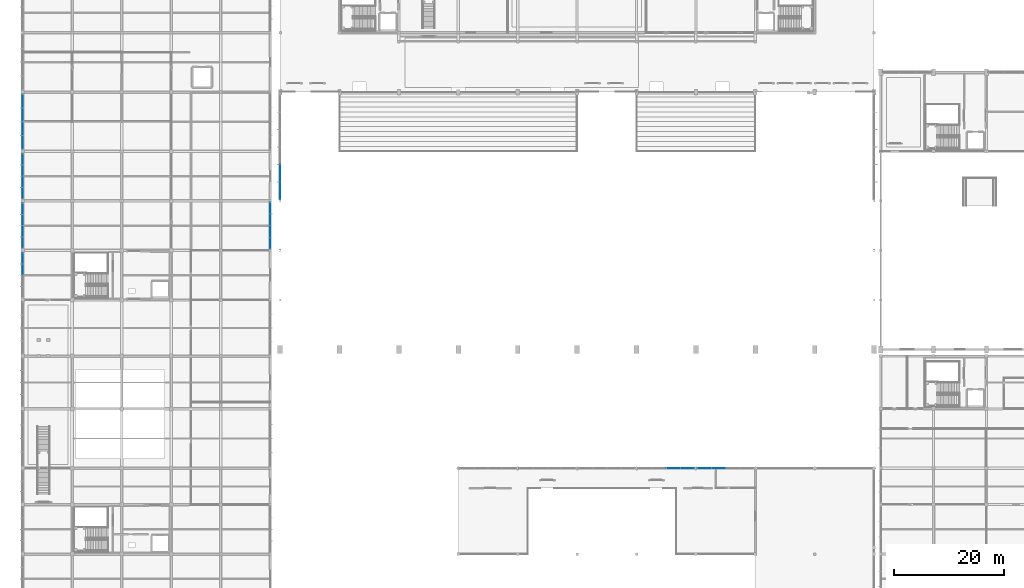
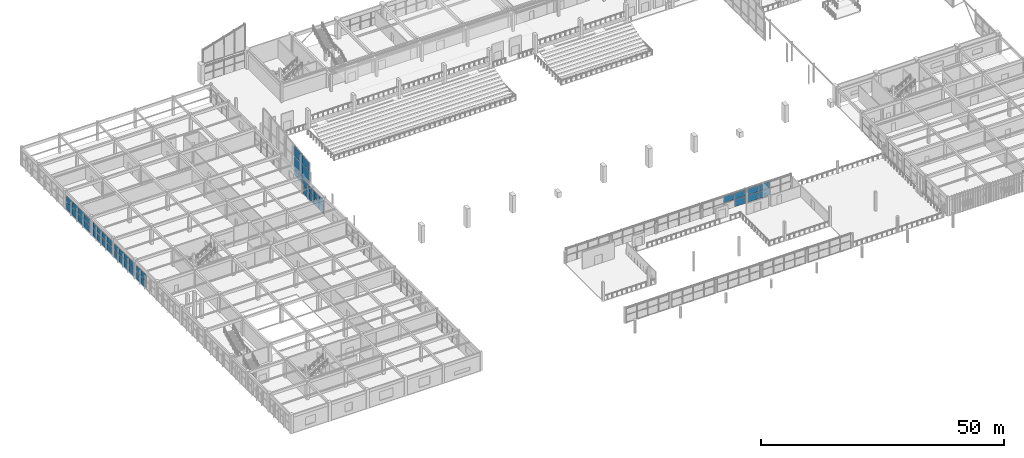
# One storey, part 41 of 74: 49 plates, 8 elements without a shape of their own.
"""IFC4 building model written with IfcOpenShell, lengths in metres."""

from ifc_helpers import new_model, si_unit, direction, frame, origin, place, context, subcontext, project, spatial, polyline, outline, extrude, material, layer, layer_set, type_object, element, aggregate, save


model = new_model("IFC4")

# Units and contexts
model_context = context("Model", 3, precision=1e-05, world=origin(), true_north=direction((0.0, 1.0)))
body_context = subcontext(model_context, "Body", "Model", "MODEL_VIEW")
ifc_project = project(units=[si_unit("LENGTHUNIT", "METRE"), si_unit("AREAUNIT", "SQUARE_METRE"), si_unit("VOLUMEUNIT", "CUBIC_METRE"), si_unit("PLANEANGLEUNIT", "RADIAN"), si_unit("MASSUNIT", "GRAM", prefix="KILO")], contexts=[model_context])

# Site, building, storey
site_placement = place(None, origin())
site = spatial("IfcSite", under=ifc_project, at=site_placement, CompositionType="ELEMENT")
building_placement = place(site_placement, origin())
building = spatial("IfcBuilding", under=site, at=building_placement, Name="Suirenkawa Promenade Aquatics Centre", CompositionType="ELEMENT")
storey_placement = place(building_placement, frame((0.0, 0.0, 4.800048828125)))
storey = spatial("IfcBuildingStorey", under=building, at=storey_placement, Name="L01", CompositionType="ELEMENT", Elevation=4.800048828125)

# Curtain wall, plates
ifc_material_1 = material(Name="Anodised aluminium 6063-T6", Category="aluminium")
curtain_wall_type_1 = type_object("IfcCurtainWallType", Name="CWAT-V3NL1-25", PredefinedType="NOTDEFINED", material=ifc_material_1)
curtain_wall_1_placement = place(storey_placement, origin())
curtain_wall_1 = element("IfcCurtainWall", 1, at=curtain_wall_1_placement, inside=storey, type_object=curtain_wall_type_1, Name="Curtain wall CWA-25 CW-064", PredefinedType="NOTDEFINED")
ifc_material_2 = material(Name="Low-E thermally broken double glazing", Category="glass")
ifc_layer_1 = layer(ifc_material_2, 0.0419921875, Name="Low-E thermally broken double glazing", Category="glass")
ifc_layer_set_1 = layer_set([ifc_layer_1], Name="Low-E thermally broken double glazing")
plate_type_1 = type_object("IfcPlateType", Name="CWP-FOYER-42", PredefinedType="CURTAIN_PANEL", material=ifc_layer_set_1)
plate_1_placement = place(storey_placement, frame((117.0, 28.800048828125, 1.93994140625), z_axis=(0.0, 0.0, 1.0), x_axis=(1.0, 0.0, 0.0)))
plate_1 = element("IfcPlate", 2, at=plate_1_placement, type_object=plate_type_1, Name="Top glazed panel CP-04 CWP-01296", PredefinedType="CURTAIN_PANEL", context=body_context, shape_type="SweptSolid", body=[
    extrude(outline(polyline([(0.0400390625, 0.0), (2.510498046875, 0.0), (2.510498046875, 1.5400390625), (0.0400390625, 1.5400390625), (0.0400390625, 0.0)])), frame((0.0, 0.02099609375, 0.0), z_axis=(0.0, -1.0, 0.0), x_axis=(1.0, 0.0, 0.0)), (0.0, 0.0, 1.0), 0.0419921875),
])
plate_2_placement = place(storey_placement, frame((119.550537109375, 28.800048828125, 0.0400390625), z_axis=(0.0, 0.0, 1.0), x_axis=(1.0, 0.0, 0.0)))
plate_2 = element("IfcPlate", 3, at=plate_2_placement, type_object=plate_type_1, Name="Glazed panel CP-04 CWP-01297", PredefinedType="CURTAIN_PANEL", context=body_context, shape_type="SweptSolid", body=[
    extrude(outline(polyline([(0.0400390625, 0.0), (2.510498046875, 0.0), (2.510498046875, 1.81982421875), (0.0400390625, 1.81982421875), (0.0400390625, 0.0)])), frame((0.0, 0.02099609375, 0.0), z_axis=(0.0, -1.0, 0.0), x_axis=(1.0, 0.0, 0.0)), (0.0, 0.0, 1.0), 0.0419921875),
])
plate_3_placement = place(storey_placement, frame((119.550537109375, 28.800048828125, 1.93994140625), z_axis=(0.0, 0.0, 1.0), x_axis=(1.0, 0.0, 0.0)))
plate_3 = element("IfcPlate", 4, at=plate_3_placement, type_object=plate_type_1, Name="Top glazed panel CP-04 CWP-01298", PredefinedType="CURTAIN_PANEL", context=body_context, shape_type="SweptSolid", body=[
    extrude(outline(polyline([(0.0400390625, 0.0), (2.510498046875, 0.0), (2.510498046875, 1.5400390625), (0.0400390625, 1.5400390625), (0.0400390625, 0.0)])), frame((0.0, 0.02099609375, 0.0), z_axis=(0.0, -1.0, 0.0), x_axis=(1.0, 0.0, 0.0)), (0.0, 0.0, 1.0), 0.0419921875),
])
aggregate(curtain_wall_1, [plate_1, plate_2, plate_3])

curtain_wall_2_placement = place(storey_placement, origin())
curtain_wall_2 = element("IfcCurtainWall", 5, at=curtain_wall_2_placement, inside=storey, type_object=curtain_wall_type_1, Name="Curtain wall CWA-25 CW-066", PredefinedType="NOTDEFINED")
plate_4_placement = place(storey_placement, frame((122.698974609375, 28.800048828125, 0.0400390625), z_axis=(0.0, 0.0, 1.0), x_axis=(1.0, 0.0, 0.0)))
plate_4 = element("IfcPlate", 6, at=plate_4_placement, type_object=plate_type_1, Name="Glazed panel CP-04 CWP-01335", PredefinedType="CURTAIN_PANEL", context=body_context, shape_type="SweptSolid", body=[
    extrude(outline(polyline([(0.0400390625, 0.0), (2.510498046875, 0.0), (2.510498046875, 1.81982421875), (0.0400390625, 1.81982421875), (0.0400390625, 0.0)])), frame((0.0, 0.02099609375, 0.0), z_axis=(0.0, -1.0, 0.0), x_axis=(1.0, 0.0, 0.0)), (0.0, 0.0, 1.0), 0.0419921875),
])
plate_5_placement = place(storey_placement, frame((122.698974609375, 28.800048828125, 1.93994140625), z_axis=(0.0, 0.0, 1.0), x_axis=(1.0, 0.0, 0.0)))
plate_5 = element("IfcPlate", 7, at=plate_5_placement, type_object=plate_type_1, Name="Top glazed panel CP-04 CWP-01336", PredefinedType="CURTAIN_PANEL", context=body_context, shape_type="SweptSolid", body=[
    extrude(outline(polyline([(0.0400390625, 0.0), (2.510498046875, 0.0), (2.510498046875, 1.5400390625), (0.0400390625, 1.5400390625), (0.0400390625, 0.0)])), frame((0.0, 0.02099609375, 0.0), z_axis=(0.0, -1.0, 0.0), x_axis=(1.0, 0.0, 0.0)), (0.0, 0.0, 1.0), 0.0419921875),
])
plate_6_placement = place(storey_placement, frame((125.24951171875, 28.800048828125, 0.0400390625), z_axis=(0.0, 0.0, 1.0), x_axis=(1.0, 0.0, 0.0)))
plate_6 = element("IfcPlate", 8, at=plate_6_placement, type_object=plate_type_1, Name="Glazed panel CP-04 CWP-01337", PredefinedType="CURTAIN_PANEL", context=body_context, shape_type="SweptSolid", body=[
    extrude(outline(polyline([(0.0400390625, 0.0), (2.510498046875, 0.0), (2.510498046875, 1.81982421875), (0.0400390625, 1.81982421875), (0.0400390625, 0.0)])), frame((0.0, 0.02099609375, 0.0), z_axis=(0.0, -1.0, 0.0), x_axis=(1.0, 0.0, 0.0)), (0.0, 0.0, 1.0), 0.0419921875),
])
plate_7_placement = place(storey_placement, frame((125.24951171875, 28.800048828125, 1.93994140625), z_axis=(0.0, 0.0, 1.0), x_axis=(1.0, 0.0, 0.0)))
plate_7 = element("IfcPlate", 9, at=plate_7_placement, type_object=plate_type_1, Name="Top glazed panel CP-04 CWP-01338", PredefinedType="CURTAIN_PANEL", context=body_context, shape_type="SweptSolid", body=[
    extrude(outline(polyline([(0.0400390625, 0.0), (2.510498046875, 0.0), (2.510498046875, 1.5400390625), (0.0400390625, 1.5400390625), (0.0400390625, 0.0)])), frame((0.0, 0.02099609375, 0.0), z_axis=(0.0, -1.0, 0.0), x_axis=(1.0, 0.0, 0.0)), (0.0, 0.0, 1.0), 0.0419921875),
])
aggregate(curtain_wall_2, [plate_4, plate_5, plate_6, plate_7])

curtain_wall_type_2 = type_object("IfcCurtainWallType", Name="CWAT-V5EL01-50", PredefinedType="NOTDEFINED", material=ifc_material_1)
curtain_wall_3_placement = place(storey_placement, origin())
curtain_wall_3 = element("IfcCurtainWall", 10, at=curtain_wall_3_placement, inside=storey, type_object=curtain_wall_type_2, Name="Curtain wall CWA-50 CW-106", PredefinedType="NOTDEFINED")
ifc_layer_2 = layer(ifc_material_2, 0.028076171875, Name="Low-E thermally broken double glazing", Category="glass")
ifc_layer_set_2 = layer_set([ifc_layer_2], Name="Low-E thermally broken double glazing")
plate_type_2 = type_object("IfcPlateType", Name="CWP-LOWE-28", PredefinedType="CURTAIN_PANEL", material=ifc_layer_set_2)
plate_8_placement = place(storey_placement, frame((45.0, 77.10107421875, 0.0400390625), z_axis=(0.0, 0.0, 1.0), x_axis=(0.0, -1.0, 0.0)))
plate_8 = element("IfcPlate", 11, at=plate_8_placement, type_object=plate_type_2, Name="Glazed panel CP-02 CWP-02135", PredefinedType="CURTAIN_PANEL", context=body_context, shape_type="SweptSolid", body=[
    extrude(outline(polyline([(0.0400390625, 0.0), (2.060546875, 0.0), (2.060546875, 1.869873046875), (0.0400390625, 1.869873046875), (0.0400390625, 0.0)])), frame((0.0, 0.01416015625, 0.0), z_axis=(0.0, -1.0, 0.0), x_axis=(1.0, 0.0, 0.0)), (0.0, 0.0, 1.0), 0.028076171875),
])
plate_9_placement = place(storey_placement, frame((45.0, 77.10107421875, 1.989990234375), z_axis=(0.0, 0.0, 1.0), x_axis=(0.0, -1.0, 0.0)))
plate_9 = element("IfcPlate", 12, at=plate_9_placement, type_object=plate_type_2, Name="Top glazed panel CP-02 CWP-02136", PredefinedType="CURTAIN_PANEL", context=body_context, shape_type="SweptSolid", body=[
    extrude(outline(polyline([(0.0400390625, 0.0), (2.060546875, 0.0), (2.060546875, 1.5400390625), (0.0400390625, 1.5400390625), (0.0400390625, 0.0)])), frame((0.0, 0.01416015625, 0.0), z_axis=(0.0, -1.0, 0.0), x_axis=(1.0, 0.0, 0.0)), (0.0, 0.0, 1.0), 0.028076171875),
])
plate_10_placement = place(storey_placement, frame((45.0, 75.00048828125, 0.0400390625), z_axis=(0.0, 0.0, 1.0), x_axis=(0.0, -1.0, 0.0)))
plate_10 = element("IfcPlate", 13, at=plate_10_placement, type_object=plate_type_2, Name="Glazed panel CP-02 CWP-02137", PredefinedType="CURTAIN_PANEL", context=body_context, shape_type="SweptSolid", body=[
    extrude(outline(polyline([(0.0400390625, 0.0), (2.060546875, 0.0), (2.060546875, 1.869873046875), (0.0400390625, 1.869873046875), (0.0400390625, 0.0)])), frame((0.0, 0.01416015625, 0.0), z_axis=(0.0, -1.0, 0.0), x_axis=(1.0, 0.0, 0.0)), (0.0, 0.0, 1.0), 0.028076171875),
])
plate_11_placement = place(storey_placement, frame((45.0, 75.00048828125, 1.989990234375), z_axis=(0.0, 0.0, 1.0), x_axis=(0.0, -1.0, 0.0)))
plate_11 = element("IfcPlate", 14, at=plate_11_placement, type_object=plate_type_2, Name="Top glazed panel CP-02 CWP-02138", PredefinedType="CURTAIN_PANEL", context=body_context, shape_type="SweptSolid", body=[
    extrude(outline(polyline([(0.0400390625, 0.0), (2.060546875, 0.0), (2.060546875, 1.5400390625), (0.0400390625, 1.5400390625), (0.0400390625, 0.0)])), frame((0.0, 0.01416015625, 0.0), z_axis=(0.0, -1.0, 0.0), x_axis=(1.0, 0.0, 0.0)), (0.0, 0.0, 1.0), 0.028076171875),
])
plate_12_placement = place(storey_placement, frame((45.0, 72.89990234375, 0.0400390625), z_axis=(0.0, 0.0, 1.0), x_axis=(0.0, -1.0, 0.0)))
plate_12 = element("IfcPlate", 15, at=plate_12_placement, type_object=plate_type_2, Name="Glazed panel CP-02 CWP-02139", PredefinedType="CURTAIN_PANEL", context=body_context, shape_type="SweptSolid", body=[
    extrude(outline(polyline([(0.0400390625, 0.0), (2.060546875, 0.0), (2.060546875, 1.869873046875), (0.0400390625, 1.869873046875), (0.0400390625, 0.0)])), frame((0.0, 0.01416015625, 0.0), z_axis=(0.0, -1.0, 0.0), x_axis=(1.0, 0.0, 0.0)), (0.0, 0.0, 1.0), 0.028076171875),
])
plate_13_placement = place(storey_placement, frame((45.0, 72.89990234375, 1.989990234375), z_axis=(0.0, 0.0, 1.0), x_axis=(0.0, -1.0, 0.0)))
plate_13 = element("IfcPlate", 16, at=plate_13_placement, type_object=plate_type_2, Name="Top glazed panel CP-02 CWP-02140", PredefinedType="CURTAIN_PANEL", context=body_context, shape_type="SweptSolid", body=[
    extrude(outline(polyline([(0.0400390625, 0.0), (2.060546875, 0.0), (2.060546875, 1.5400390625), (0.0400390625, 1.5400390625), (0.0400390625, 0.0)])), frame((0.0, 0.01416015625, 0.0), z_axis=(0.0, -1.0, 0.0), x_axis=(1.0, 0.0, 0.0)), (0.0, 0.0, 1.0), 0.028076171875),
])
plate_14_placement = place(storey_placement, frame((45.0, 70.799560546875, 0.0400390625), z_axis=(0.0, 0.0, 1.0), x_axis=(0.0, -1.0, 0.0)))
plate_14 = element("IfcPlate", 17, at=plate_14_placement, type_object=plate_type_2, Name="Glazed panel CP-02 CWP-02141", PredefinedType="CURTAIN_PANEL", context=body_context, shape_type="SweptSolid", body=[
    extrude(outline(polyline([(0.0400390625, 0.0), (2.060546875, 0.0), (2.060546875, 1.869873046875), (0.0400390625, 1.869873046875), (0.0400390625, 0.0)])), frame((0.0, 0.01416015625, 0.0), z_axis=(0.0, -1.0, 0.0), x_axis=(1.0, 0.0, 0.0)), (0.0, 0.0, 1.0), 0.028076171875),
])
plate_15_placement = place(storey_placement, frame((45.0, 70.799560546875, 1.989990234375), z_axis=(0.0, 0.0, 1.0), x_axis=(0.0, -1.0, 0.0)))
plate_15 = element("IfcPlate", 18, at=plate_15_placement, type_object=plate_type_2, Name="Top glazed panel CP-02 CWP-02142", PredefinedType="CURTAIN_PANEL", context=body_context, shape_type="SweptSolid", body=[
    extrude(outline(polyline([(0.0400390625, 0.0), (2.060546875, 0.0), (2.060546875, 1.5400390625), (0.0400390625, 1.5400390625), (0.0400390625, 0.0)])), frame((0.0, 0.01416015625, 0.0), z_axis=(0.0, -1.0, 0.0), x_axis=(1.0, 0.0, 0.0)), (0.0, 0.0, 1.0), 0.028076171875),
])
aggregate(curtain_wall_3, [plate_8, plate_9, plate_10, plate_11, plate_12, plate_13, plate_14, plate_15])

curtain_wall_type_3 = type_object("IfcCurtainWallType", Name="CWAT-GABLEV1-04", PredefinedType="NOTDEFINED", material=ifc_material_1)
curtain_wall_4_placement = place(storey_placement, origin())
curtain_wall_4 = element("IfcCurtainWall", 19, at=curtain_wall_4_placement, inside=storey, type_object=curtain_wall_type_3, Name="Curtain wall CWA-04 CW-004", PredefinedType="NOTDEFINED")
ifc_material_3 = material(Name="Ceramic-fritted low-SHGC double glazing", Category="glass")
ifc_layer_3 = layer(ifc_material_3, 0.035888671875, Name="Ceramic-fritted low-SHGC double glazing", Category="glass")
ifc_layer_set_3 = layer_set([ifc_layer_3], Name="Ceramic-fritted low-SHGC double glazing")
plate_type_3 = type_object("IfcPlateType", Name="CWP-SHOJI-36", PredefinedType="CURTAIN_PANEL", material=ifc_layer_set_3)
plate_16_placement = place(storey_placement, frame((46.800048828125, 77.698974609375, 0.0400390625), z_axis=(0.0, 0.0, 1.0), x_axis=(0.0, 1.0, 0.0)))
plate_16 = element("IfcPlate", 20, at=plate_16_placement, type_object=plate_type_3, Name="Glazed panel CP-01 CWP-00085", PredefinedType="CURTAIN_PANEL", context=body_context, shape_type="SweptSolid", body=[
    extrude(outline(polyline([(0.0400390625, 0.0), (3.126953125, 0.0), (3.126953125, 1.52001953125), (0.0400390625, 1.52001953125), (0.0400390625, 0.0)])), frame((0.0, 0.01806640625, 0.0), z_axis=(0.0, -1.0, 0.0), x_axis=(1.0, 0.0, 0.0)), (0.0, 0.0, 1.0), 0.035888671875),
])
plate_17_placement = place(storey_placement, frame((46.800048828125, 77.698974609375, 1.639892578125), z_axis=(0.0, 0.0, 1.0), x_axis=(0.0, 1.0, 0.0)))
plate_17 = element("IfcPlate", 21, at=plate_17_placement, type_object=plate_type_3, Name="Glazed panel CP-01 CWP-00086", PredefinedType="CURTAIN_PANEL", context=body_context, shape_type="SweptSolid", body=[
    extrude(outline(polyline([(0.0400390625, 0.0), (3.126953125, 0.0), (3.126953125, 3.1201171875), (0.0400390625, 3.1201171875), (0.0400390625, 0.0)])), frame((0.0, 0.01806640625, 0.0), z_axis=(0.0, -1.0, 0.0), x_axis=(1.0, 0.0, 0.0)), (0.0, 0.0, 1.0), 0.035888671875),
])
plate_18_placement = place(storey_placement, frame((46.800048828125, 77.698974609375, 4.83984375), z_axis=(0.0, 0.0, 1.0), x_axis=(0.0, 1.0, 0.0)))
plate_18 = element("IfcPlate", 22, at=plate_18_placement, type_object=plate_type_3, Name="Top glazed panel CP-01 CWP-00087", PredefinedType="CURTAIN_PANEL", context=body_context, shape_type="SweptSolid", body=[
    extrude(outline(polyline([(0.0400390625, 0.0), (3.126953125, 0.0), (3.126953125, 2.296875), (0.0400390625, 1.888671875), (0.0400390625, 0.0)])), frame((0.0, 0.01806640625, 0.0), z_axis=(0.0, -1.0, 0.0), x_axis=(1.0, 0.0, 0.0)), (0.0, 0.0, 1.0), 0.035888671875),
])
plate_19_placement = place(storey_placement, frame((46.800048828125, 80.865966796875, 0.0400390625), z_axis=(0.0, 0.0, 1.0), x_axis=(0.0, 1.0, 0.0)))
plate_19 = element("IfcPlate", 23, at=plate_19_placement, type_object=plate_type_3, Name="Glazed panel CP-01 CWP-00088", PredefinedType="CURTAIN_PANEL", context=body_context, shape_type="SweptSolid", body=[
    extrude(outline(polyline([(0.0400390625, 0.0), (3.126953125, 0.0), (3.126953125, 1.52001953125), (0.0400390625, 1.52001953125), (0.0400390625, 0.0)])), frame((0.0, 0.01806640625, 0.0), z_axis=(0.0, -1.0, 0.0), x_axis=(1.0, 0.0, 0.0)), (0.0, 0.0, 1.0), 0.035888671875),
])
plate_20_placement = place(storey_placement, frame((46.800048828125, 80.865966796875, 1.639892578125), z_axis=(0.0, 0.0, 1.0), x_axis=(0.0, 1.0, 0.0)))
plate_20 = element("IfcPlate", 24, at=plate_20_placement, type_object=plate_type_3, Name="Glazed panel CP-01 CWP-00089", PredefinedType="CURTAIN_PANEL", context=body_context, shape_type="SweptSolid", body=[
    extrude(outline(polyline([(0.0400390625, 0.0), (3.126953125, 0.0), (3.126953125, 3.1201171875), (0.0400390625, 3.1201171875), (0.0400390625, 0.0)])), frame((0.0, 0.01806640625, 0.0), z_axis=(0.0, -1.0, 0.0), x_axis=(1.0, 0.0, 0.0)), (0.0, 0.0, 1.0), 0.035888671875),
])
plate_21_placement = place(storey_placement, frame((46.800048828125, 80.865966796875, 4.83984375), z_axis=(0.0, 0.0, 1.0), x_axis=(0.0, 1.0, 0.0)))
plate_21 = element("IfcPlate", 25, at=plate_21_placement, type_object=plate_type_3, Name="Top glazed panel CP-01 CWP-00090", PredefinedType="CURTAIN_PANEL", context=body_context, shape_type="SweptSolid", body=[
    extrude(outline(polyline([(0.0400390625, 0.0), (3.126953125, 0.0), (3.126953125, 2.705078125), (0.0400390625, 2.296875), (0.0400390625, 0.0)])), frame((0.0, 0.01806640625, 0.0), z_axis=(0.0, -1.0, 0.0), x_axis=(1.0, 0.0, 0.0)), (0.0, 0.0, 1.0), 0.035888671875),
])
aggregate(curtain_wall_4, [plate_16, plate_17, plate_18, plate_19, plate_20, plate_21])

curtain_wall_type_4 = type_object("IfcCurtainWallType", Name="CWAT-V5WL01-49", PredefinedType="NOTDEFINED", material=ifc_material_1)
curtain_wall_5_placement = place(storey_placement, origin())
curtain_wall_5 = element("IfcCurtainWall", 26, at=curtain_wall_5_placement, inside=storey, type_object=curtain_wall_type_4, Name="Curtain wall CWA-49 CW-104", PredefinedType="NOTDEFINED")
plate_22_placement = place(storey_placement, frame((0.0, 63.89990234375, 0.0400390625), z_axis=(0.0, 0.0, 1.0), x_axis=(0.0, 1.0, 0.0)))
plate_22 = element("IfcPlate", 27, at=plate_22_placement, type_object=plate_type_3, Name="Glazed panel CP-01 CWP-02095", PredefinedType="CURTAIN_PANEL", context=body_context, shape_type="SweptSolid", body=[
    extrude(outline(polyline([(0.0400390625, 0.0), (1.985595703125, 0.0), (1.985595703125, 1.869873046875), (0.0400390625, 1.869873046875), (0.0400390625, 0.0)])), frame((0.0, 0.01806640625, 0.0), z_axis=(0.0, -1.0, 0.0), x_axis=(1.0, 0.0, 0.0)), (0.0, 0.0, 1.0), 0.035888671875),
])
plate_23_placement = place(storey_placement, frame((0.0, 63.89990234375, 1.989990234375), z_axis=(0.0, 0.0, 1.0), x_axis=(0.0, 1.0, 0.0)))
plate_23 = element("IfcPlate", 28, at=plate_23_placement, type_object=plate_type_3, Name="Top glazed panel CP-01 CWP-02096", PredefinedType="CURTAIN_PANEL", context=body_context, shape_type="SweptSolid", body=[
    extrude(outline(polyline([(0.0400390625, 0.0), (1.985595703125, 0.0), (1.985595703125, 1.5400390625), (0.0400390625, 1.5400390625), (0.0400390625, 0.0)])), frame((0.0, 0.01806640625, 0.0), z_axis=(0.0, -1.0, 0.0), x_axis=(1.0, 0.0, 0.0)), (0.0, 0.0, 1.0), 0.035888671875),
])
plate_24_placement = place(storey_placement, frame((0.0, 65.925537109375, 0.0400390625), z_axis=(0.0, 0.0, 1.0), x_axis=(0.0, 1.0, 0.0)))
plate_24 = element("IfcPlate", 29, at=plate_24_placement, type_object=plate_type_3, Name="Glazed panel CP-01 CWP-02097", PredefinedType="CURTAIN_PANEL", context=body_context, shape_type="SweptSolid", body=[
    extrude(outline(polyline([(0.0400390625, 0.0), (1.985595703125, 0.0), (1.985595703125, 1.869873046875), (0.0400390625, 1.869873046875), (0.0400390625, 0.0)])), frame((0.0, 0.01806640625, 0.0), z_axis=(0.0, -1.0, 0.0), x_axis=(1.0, 0.0, 0.0)), (0.0, 0.0, 1.0), 0.035888671875),
])
plate_25_placement = place(storey_placement, frame((0.0, 65.925537109375, 1.989990234375), z_axis=(0.0, 0.0, 1.0), x_axis=(0.0, 1.0, 0.0)))
plate_25 = element("IfcPlate", 30, at=plate_25_placement, type_object=plate_type_3, Name="Top glazed panel CP-01 CWP-02098", PredefinedType="CURTAIN_PANEL", context=body_context, shape_type="SweptSolid", body=[
    extrude(outline(polyline([(0.0400390625, 0.0), (1.985595703125, 0.0), (1.985595703125, 1.5400390625), (0.0400390625, 1.5400390625), (0.0400390625, 0.0)])), frame((0.0, 0.01806640625, 0.0), z_axis=(0.0, -1.0, 0.0), x_axis=(1.0, 0.0, 0.0)), (0.0, 0.0, 1.0), 0.035888671875),
])
aggregate(curtain_wall_5, [plate_22, plate_23, plate_24, plate_25])

curtain_wall_6_placement = place(storey_placement, origin())
curtain_wall_6 = element("IfcCurtainWall", 31, at=curtain_wall_6_placement, inside=storey, type_object=curtain_wall_type_4, Name="Curtain wall CWA-49 CW-105", PredefinedType="NOTDEFINED")
plate_26_placement = place(storey_placement, frame((0.0, 68.84912109375, 0.0400390625), z_axis=(0.0, 0.0, 1.0), x_axis=(0.0, 1.0, 0.0)))
plate_26 = element("IfcPlate", 32, at=plate_26_placement, type_object=plate_type_3, Name="Glazed panel CP-01 CWP-02113", PredefinedType="CURTAIN_PANEL", context=body_context, shape_type="SweptSolid", body=[
    extrude(outline(polyline([(0.0400390625, 0.0), (1.985595703125, 0.0), (1.985595703125, 1.869873046875), (0.0400390625, 1.869873046875), (0.0400390625, 0.0)])), frame((0.0, 0.01806640625, 0.0), z_axis=(0.0, -1.0, 0.0), x_axis=(1.0, 0.0, 0.0)), (0.0, 0.0, 1.0), 0.035888671875),
])
plate_27_placement = place(storey_placement, frame((0.0, 68.84912109375, 1.989990234375), z_axis=(0.0, 0.0, 1.0), x_axis=(0.0, 1.0, 0.0)))
plate_27 = element("IfcPlate", 33, at=plate_27_placement, type_object=plate_type_3, Name="Top glazed panel CP-01 CWP-02114", PredefinedType="CURTAIN_PANEL", context=body_context, shape_type="SweptSolid", body=[
    extrude(outline(polyline([(0.0400390625, 0.0), (1.985595703125, 0.0), (1.985595703125, 1.5400390625), (0.0400390625, 1.5400390625), (0.0400390625, 0.0)])), frame((0.0, 0.01806640625, 0.0), z_axis=(0.0, -1.0, 0.0), x_axis=(1.0, 0.0, 0.0)), (0.0, 0.0, 1.0), 0.035888671875),
])
plate_28_placement = place(storey_placement, frame((0.0, 70.87451171875, 0.0400390625), z_axis=(0.0, 0.0, 1.0), x_axis=(0.0, 1.0, 0.0)))
plate_28 = element("IfcPlate", 34, at=plate_28_placement, type_object=plate_type_3, Name="Glazed panel CP-01 CWP-02115", PredefinedType="CURTAIN_PANEL", context=body_context, shape_type="SweptSolid", body=[
    extrude(outline(polyline([(0.0400390625, 0.0), (1.985595703125, 0.0), (1.985595703125, 1.869873046875), (0.0400390625, 1.869873046875), (0.0400390625, 0.0)])), frame((0.0, 0.01806640625, 0.0), z_axis=(0.0, -1.0, 0.0), x_axis=(1.0, 0.0, 0.0)), (0.0, 0.0, 1.0), 0.035888671875),
])
plate_29_placement = place(storey_placement, frame((0.0, 70.87451171875, 1.989990234375), z_axis=(0.0, 0.0, 1.0), x_axis=(0.0, 1.0, 0.0)))
plate_29 = element("IfcPlate", 35, at=plate_29_placement, type_object=plate_type_3, Name="Top glazed panel CP-01 CWP-02116", PredefinedType="CURTAIN_PANEL", context=body_context, shape_type="SweptSolid", body=[
    extrude(outline(polyline([(0.0400390625, 0.0), (1.985595703125, 0.0), (1.985595703125, 1.5400390625), (0.0400390625, 1.5400390625), (0.0400390625, 0.0)])), frame((0.0, 0.01806640625, 0.0), z_axis=(0.0, -1.0, 0.0), x_axis=(1.0, 0.0, 0.0)), (0.0, 0.0, 1.0), 0.035888671875),
])
plate_30_placement = place(storey_placement, frame((0.0, 72.89990234375, 0.0400390625), z_axis=(0.0, 0.0, 1.0), x_axis=(0.0, 1.0, 0.0)))
plate_30 = element("IfcPlate", 36, at=plate_30_placement, type_object=plate_type_3, Name="Glazed panel CP-01 CWP-02117", PredefinedType="CURTAIN_PANEL", context=body_context, shape_type="SweptSolid", body=[
    extrude(outline(polyline([(0.0400390625, 0.0), (1.985595703125, 0.0), (1.985595703125, 1.869873046875), (0.0400390625, 1.869873046875), (0.0400390625, 0.0)])), frame((0.0, 0.01806640625, 0.0), z_axis=(0.0, -1.0, 0.0), x_axis=(1.0, 0.0, 0.0)), (0.0, 0.0, 1.0), 0.035888671875),
])
plate_31_placement = place(storey_placement, frame((0.0, 72.89990234375, 1.989990234375), z_axis=(0.0, 0.0, 1.0), x_axis=(0.0, 1.0, 0.0)))
plate_31 = element("IfcPlate", 37, at=plate_31_placement, type_object=plate_type_3, Name="Top glazed panel CP-01 CWP-02118", PredefinedType="CURTAIN_PANEL", context=body_context, shape_type="SweptSolid", body=[
    extrude(outline(polyline([(0.0400390625, 0.0), (1.985595703125, 0.0), (1.985595703125, 1.5400390625), (0.0400390625, 1.5400390625), (0.0400390625, 0.0)])), frame((0.0, 0.01806640625, 0.0), z_axis=(0.0, -1.0, 0.0), x_axis=(1.0, 0.0, 0.0)), (0.0, 0.0, 1.0), 0.035888671875),
])
plate_32_placement = place(storey_placement, frame((0.0, 74.925537109375, 0.0400390625), z_axis=(0.0, 0.0, 1.0), x_axis=(0.0, 1.0, 0.0)))
plate_32 = element("IfcPlate", 38, at=plate_32_placement, type_object=plate_type_3, Name="Glazed panel CP-01 CWP-02119", PredefinedType="CURTAIN_PANEL", context=body_context, shape_type="SweptSolid", body=[
    extrude(outline(polyline([(0.0400390625, 0.0), (1.985595703125, 0.0), (1.985595703125, 1.869873046875), (0.0400390625, 1.869873046875), (0.0400390625, 0.0)])), frame((0.0, 0.01806640625, 0.0), z_axis=(0.0, -1.0, 0.0), x_axis=(1.0, 0.0, 0.0)), (0.0, 0.0, 1.0), 0.035888671875),
])
plate_33_placement = place(storey_placement, frame((0.0, 74.925537109375, 1.989990234375), z_axis=(0.0, 0.0, 1.0), x_axis=(0.0, 1.0, 0.0)))
plate_33 = element("IfcPlate", 39, at=plate_33_placement, type_object=plate_type_3, Name="Top glazed panel CP-01 CWP-02120", PredefinedType="CURTAIN_PANEL", context=body_context, shape_type="SweptSolid", body=[
    extrude(outline(polyline([(0.0400390625, 0.0), (1.985595703125, 0.0), (1.985595703125, 1.5400390625), (0.0400390625, 1.5400390625), (0.0400390625, 0.0)])), frame((0.0, 0.01806640625, 0.0), z_axis=(0.0, -1.0, 0.0), x_axis=(1.0, 0.0, 0.0)), (0.0, 0.0, 1.0), 0.035888671875),
])
aggregate(curtain_wall_6, [plate_26, plate_27, plate_28, plate_29, plate_30, plate_31, plate_32, plate_33])

curtain_wall_7_placement = place(storey_placement, origin())
curtain_wall_7 = element("IfcCurtainWall", 40, at=curtain_wall_7_placement, inside=storey, type_object=curtain_wall_type_4, Name="Curtain wall CWA-49 CW-107", PredefinedType="NOTDEFINED")
plate_34_placement = place(storey_placement, frame((0.0, 77.84912109375, 0.0400390625), z_axis=(0.0, 0.0, 1.0), x_axis=(0.0, 1.0, 0.0)))
plate_34 = element("IfcPlate", 41, at=plate_34_placement, type_object=plate_type_3, Name="Glazed panel CP-01 CWP-02157", PredefinedType="CURTAIN_PANEL", context=body_context, shape_type="SweptSolid", body=[
    extrude(outline(polyline([(0.0400390625, 0.0), (1.985595703125, 0.0), (1.985595703125, 1.869873046875), (0.0400390625, 1.869873046875), (0.0400390625, 0.0)])), frame((0.0, 0.01806640625, 0.0), z_axis=(0.0, -1.0, 0.0), x_axis=(1.0, 0.0, 0.0)), (0.0, 0.0, 1.0), 0.035888671875),
])
plate_35_placement = place(storey_placement, frame((0.0, 77.84912109375, 1.989990234375), z_axis=(0.0, 0.0, 1.0), x_axis=(0.0, 1.0, 0.0)))
plate_35 = element("IfcPlate", 42, at=plate_35_placement, type_object=plate_type_3, Name="Top glazed panel CP-01 CWP-02158", PredefinedType="CURTAIN_PANEL", context=body_context, shape_type="SweptSolid", body=[
    extrude(outline(polyline([(0.0400390625, 0.0), (1.985595703125, 0.0), (1.985595703125, 1.5400390625), (0.0400390625, 1.5400390625), (0.0400390625, 0.0)])), frame((0.0, 0.01806640625, 0.0), z_axis=(0.0, -1.0, 0.0), x_axis=(1.0, 0.0, 0.0)), (0.0, 0.0, 1.0), 0.035888671875),
])
plate_36_placement = place(storey_placement, frame((0.0, 79.87451171875, 0.0400390625), z_axis=(0.0, 0.0, 1.0), x_axis=(0.0, 1.0, 0.0)))
plate_36 = element("IfcPlate", 43, at=plate_36_placement, type_object=plate_type_3, Name="Glazed panel CP-01 CWP-02159", PredefinedType="CURTAIN_PANEL", context=body_context, shape_type="SweptSolid", body=[
    extrude(outline(polyline([(0.0400390625, 0.0), (1.985595703125, 0.0), (1.985595703125, 1.869873046875), (0.0400390625, 1.869873046875), (0.0400390625, 0.0)])), frame((0.0, 0.01806640625, 0.0), z_axis=(0.0, -1.0, 0.0), x_axis=(1.0, 0.0, 0.0)), (0.0, 0.0, 1.0), 0.035888671875),
])
plate_37_placement = place(storey_placement, frame((0.0, 79.87451171875, 1.989990234375), z_axis=(0.0, 0.0, 1.0), x_axis=(0.0, 1.0, 0.0)))
plate_37 = element("IfcPlate", 44, at=plate_37_placement, type_object=plate_type_3, Name="Top glazed panel CP-01 CWP-02160", PredefinedType="CURTAIN_PANEL", context=body_context, shape_type="SweptSolid", body=[
    extrude(outline(polyline([(0.0400390625, 0.0), (1.985595703125, 0.0), (1.985595703125, 1.5400390625), (0.0400390625, 1.5400390625), (0.0400390625, 0.0)])), frame((0.0, 0.01806640625, 0.0), z_axis=(0.0, -1.0, 0.0), x_axis=(1.0, 0.0, 0.0)), (0.0, 0.0, 1.0), 0.035888671875),
])
plate_38_placement = place(storey_placement, frame((0.0, 81.89990234375, 0.0400390625), z_axis=(0.0, 0.0, 1.0), x_axis=(0.0, 1.0, 0.0)))
plate_38 = element("IfcPlate", 45, at=plate_38_placement, type_object=plate_type_3, Name="Glazed panel CP-01 CWP-02161", PredefinedType="CURTAIN_PANEL", context=body_context, shape_type="SweptSolid", body=[
    extrude(outline(polyline([(0.0400390625, 0.0), (1.985595703125, 0.0), (1.985595703125, 1.869873046875), (0.0400390625, 1.869873046875), (0.0400390625, 0.0)])), frame((0.0, 0.01806640625, 0.0), z_axis=(0.0, -1.0, 0.0), x_axis=(1.0, 0.0, 0.0)), (0.0, 0.0, 1.0), 0.035888671875),
])
plate_39_placement = place(storey_placement, frame((0.0, 81.89990234375, 1.989990234375), z_axis=(0.0, 0.0, 1.0), x_axis=(0.0, 1.0, 0.0)))
plate_39 = element("IfcPlate", 46, at=plate_39_placement, type_object=plate_type_3, Name="Top glazed panel CP-01 CWP-02162", PredefinedType="CURTAIN_PANEL", context=body_context, shape_type="SweptSolid", body=[
    extrude(outline(polyline([(0.0400390625, 0.0), (1.985595703125, 0.0), (1.985595703125, 1.5400390625), (0.0400390625, 1.5400390625), (0.0400390625, 0.0)])), frame((0.0, 0.01806640625, 0.0), z_axis=(0.0, -1.0, 0.0), x_axis=(1.0, 0.0, 0.0)), (0.0, 0.0, 1.0), 0.035888671875),
])
plate_40_placement = place(storey_placement, frame((0.0, 83.925537109375, 0.0400390625), z_axis=(0.0, 0.0, 1.0), x_axis=(0.0, 1.0, 0.0)))
plate_40 = element("IfcPlate", 47, at=plate_40_placement, type_object=plate_type_3, Name="Glazed panel CP-01 CWP-02163", PredefinedType="CURTAIN_PANEL", context=body_context, shape_type="SweptSolid", body=[
    extrude(outline(polyline([(0.0400390625, 0.0), (1.985595703125, 0.0), (1.985595703125, 1.869873046875), (0.0400390625, 1.869873046875), (0.0400390625, 0.0)])), frame((0.0, 0.01806640625, 0.0), z_axis=(0.0, -1.0, 0.0), x_axis=(1.0, 0.0, 0.0)), (0.0, 0.0, 1.0), 0.035888671875),
])
plate_41_placement = place(storey_placement, frame((0.0, 83.925537109375, 1.989990234375), z_axis=(0.0, 0.0, 1.0), x_axis=(0.0, 1.0, 0.0)))
plate_41 = element("IfcPlate", 48, at=plate_41_placement, type_object=plate_type_3, Name="Top glazed panel CP-01 CWP-02164", PredefinedType="CURTAIN_PANEL", context=body_context, shape_type="SweptSolid", body=[
    extrude(outline(polyline([(0.0400390625, 0.0), (1.985595703125, 0.0), (1.985595703125, 1.5400390625), (0.0400390625, 1.5400390625), (0.0400390625, 0.0)])), frame((0.0, 0.01806640625, 0.0), z_axis=(0.0, -1.0, 0.0), x_axis=(1.0, 0.0, 0.0)), (0.0, 0.0, 1.0), 0.035888671875),
])
aggregate(curtain_wall_7, [plate_34, plate_35, plate_36, plate_37, plate_38, plate_39, plate_40, plate_41])

curtain_wall_type_5 = type_object("IfcCurtainWallType", Name="CWAT-V5WL01-52", PredefinedType="NOTDEFINED", material=ifc_material_1)
curtain_wall_8_placement = place(storey_placement, origin())
curtain_wall_8 = element("IfcCurtainWall", 49, at=curtain_wall_8_placement, inside=storey, type_object=curtain_wall_type_5, Name="Curtain wall CWA-52 CW-108", PredefinedType="NOTDEFINED")
plate_42_placement = place(storey_placement, frame((0.0, 86.84912109375, 0.0400390625), z_axis=(0.0, 0.0, 1.0), x_axis=(0.0, 1.0, 0.0)))
plate_42 = element("IfcPlate", 50, at=plate_42_placement, type_object=plate_type_3, Name="Glazed panel CP-01 CWP-02179", PredefinedType="CURTAIN_PANEL", context=body_context, shape_type="SweptSolid", body=[
    extrude(outline(polyline([(0.0400390625, 0.0), (2.435546875, 0.0), (2.435546875, 1.869873046875), (0.0400390625, 1.869873046875), (0.0400390625, 0.0)])), frame((0.0, 0.01806640625, 0.0), z_axis=(0.0, -1.0, 0.0), x_axis=(1.0, 0.0, 0.0)), (0.0, 0.0, 1.0), 0.035888671875),
])
plate_43_placement = place(storey_placement, frame((0.0, 86.84912109375, 1.989990234375), z_axis=(0.0, 0.0, 1.0), x_axis=(0.0, 1.0, 0.0)))
plate_43 = element("IfcPlate", 51, at=plate_43_placement, type_object=plate_type_3, Name="Top glazed panel CP-01 CWP-02180", PredefinedType="CURTAIN_PANEL", context=body_context, shape_type="SweptSolid", body=[
    extrude(outline(polyline([(0.0400390625, 0.0), (2.435546875, 0.0), (2.435546875, 1.5400390625), (0.0400390625, 1.5400390625), (0.0400390625, 0.0)])), frame((0.0, 0.01806640625, 0.0), z_axis=(0.0, -1.0, 0.0), x_axis=(1.0, 0.0, 0.0)), (0.0, 0.0, 1.0), 0.035888671875),
])
plate_44_placement = place(storey_placement, frame((0.0, 89.324462890625, 0.0400390625), z_axis=(0.0, 0.0, 1.0), x_axis=(0.0, 1.0, 0.0)))
plate_44 = element("IfcPlate", 52, at=plate_44_placement, type_object=plate_type_3, Name="Glazed panel CP-01 CWP-02181", PredefinedType="CURTAIN_PANEL", context=body_context, shape_type="SweptSolid", body=[
    extrude(outline(polyline([(0.0400390625, 0.0), (2.435546875, 0.0), (2.435546875, 1.869873046875), (0.0400390625, 1.869873046875), (0.0400390625, 0.0)])), frame((0.0, 0.01806640625, 0.0), z_axis=(0.0, -1.0, 0.0), x_axis=(1.0, 0.0, 0.0)), (0.0, 0.0, 1.0), 0.035888671875),
])
plate_45_placement = place(storey_placement, frame((0.0, 89.324462890625, 1.989990234375), z_axis=(0.0, 0.0, 1.0), x_axis=(0.0, 1.0, 0.0)))
plate_45 = element("IfcPlate", 53, at=plate_45_placement, type_object=plate_type_3, Name="Top glazed panel CP-01 CWP-02182", PredefinedType="CURTAIN_PANEL", context=body_context, shape_type="SweptSolid", body=[
    extrude(outline(polyline([(0.0400390625, 0.0), (2.435546875, 0.0), (2.435546875, 1.5400390625), (0.0400390625, 1.5400390625), (0.0400390625, 0.0)])), frame((0.0, 0.01806640625, 0.0), z_axis=(0.0, -1.0, 0.0), x_axis=(1.0, 0.0, 0.0)), (0.0, 0.0, 1.0), 0.035888671875),
])
plate_46_placement = place(storey_placement, frame((0.0, 91.800048828125, 0.0400390625), z_axis=(0.0, 0.0, 1.0), x_axis=(0.0, 1.0, 0.0)))
plate_46 = element("IfcPlate", 54, at=plate_46_placement, type_object=plate_type_3, Name="Glazed panel CP-01 CWP-02183", PredefinedType="CURTAIN_PANEL", context=body_context, shape_type="SweptSolid", body=[
    extrude(outline(polyline([(0.0400390625, 0.0), (2.435546875, 0.0), (2.435546875, 1.869873046875), (0.0400390625, 1.869873046875), (0.0400390625, 0.0)])), frame((0.0, 0.01806640625, 0.0), z_axis=(0.0, -1.0, 0.0), x_axis=(1.0, 0.0, 0.0)), (0.0, 0.0, 1.0), 0.035888671875),
])
plate_47_placement = place(storey_placement, frame((0.0, 91.800048828125, 1.989990234375), z_axis=(0.0, 0.0, 1.0), x_axis=(0.0, 1.0, 0.0)))
plate_47 = element("IfcPlate", 55, at=plate_47_placement, type_object=plate_type_3, Name="Top glazed panel CP-01 CWP-02184", PredefinedType="CURTAIN_PANEL", context=body_context, shape_type="SweptSolid", body=[
    extrude(outline(polyline([(0.0400390625, 0.0), (2.435546875, 0.0), (2.435546875, 1.5400390625), (0.0400390625, 1.5400390625), (0.0400390625, 0.0)])), frame((0.0, 0.01806640625, 0.0), z_axis=(0.0, -1.0, 0.0), x_axis=(1.0, 0.0, 0.0)), (0.0, 0.0, 1.0), 0.035888671875),
])
plate_48_placement = place(storey_placement, frame((0.0, 94.275390625, 0.0400390625), z_axis=(0.0, 0.0, 1.0), x_axis=(0.0, 1.0, 0.0)))
plate_48 = element("IfcPlate", 56, at=plate_48_placement, type_object=plate_type_3, Name="Glazed panel CP-01 CWP-02185", PredefinedType="CURTAIN_PANEL", context=body_context, shape_type="SweptSolid", body=[
    extrude(outline(polyline([(0.0400390625, 0.0), (2.435546875, 0.0), (2.435546875, 1.869873046875), (0.0400390625, 1.869873046875), (0.0400390625, 0.0)])), frame((0.0, 0.01806640625, 0.0), z_axis=(0.0, -1.0, 0.0), x_axis=(1.0, 0.0, 0.0)), (0.0, 0.0, 1.0), 0.035888671875),
])
plate_49_placement = place(storey_placement, frame((0.0, 94.275390625, 1.989990234375), z_axis=(0.0, 0.0, 1.0), x_axis=(0.0, 1.0, 0.0)))
plate_49 = element("IfcPlate", 57, at=plate_49_placement, type_object=plate_type_3, Name="Top glazed panel CP-01 CWP-02186", PredefinedType="CURTAIN_PANEL", context=body_context, shape_type="SweptSolid", body=[
    extrude(outline(polyline([(0.0400390625, 0.0), (2.435546875, 0.0), (2.435546875, 1.5400390625), (0.0400390625, 1.5400390625), (0.0400390625, 0.0)])), frame((0.0, 0.01806640625, 0.0), z_axis=(0.0, -1.0, 0.0), x_axis=(1.0, 0.0, 0.0)), (0.0, 0.0, 1.0), 0.035888671875),
])
aggregate(curtain_wall_8, [plate_42, plate_43, plate_44, plate_45, plate_46, plate_47, plate_48, plate_49])

save(model, "model.ifc")
